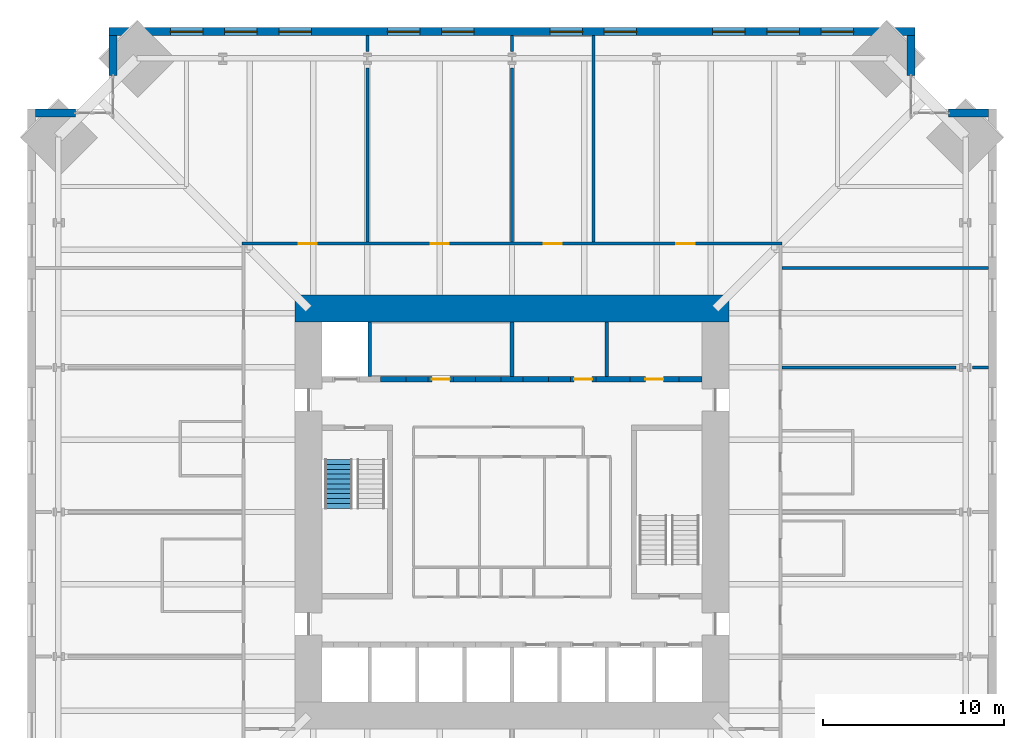
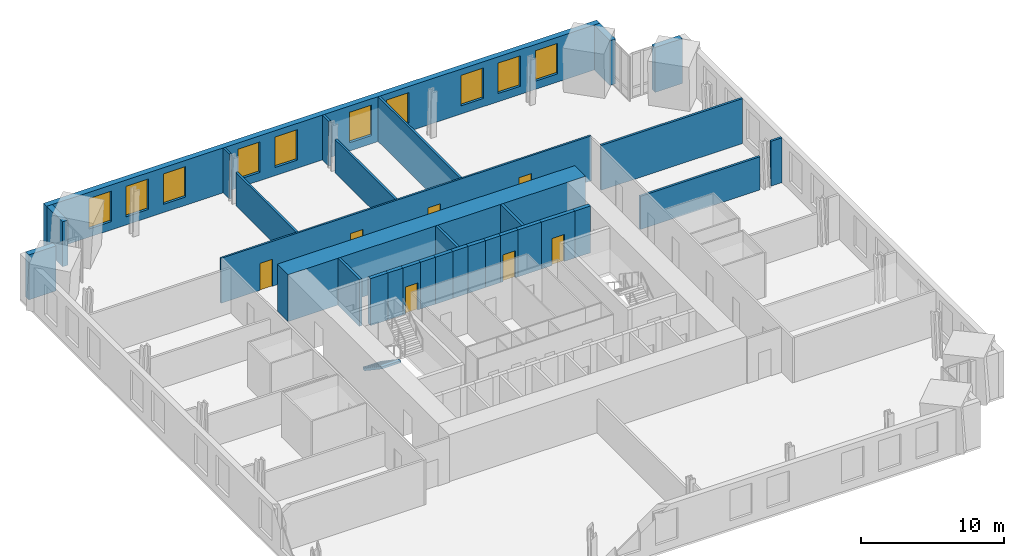
# One storey, part 15 of 17: 30 walls, 10 windows, 7 doors, 1 stair flight, 17 openings, 1 element without a shape of its own.
"""IFC4 building model written with IfcOpenShell, lengths in metres."""

from ifc_helpers import new_model, si_unit, direction, frame, frame_2d, origin, place, context, subcontext, project, spatial, polyline, rectangle, outline, extrude, material, layer, layer_set, type_object, element, fill, aggregate, save


model = new_model("IFC4")

# Units and contexts
model_context = context("Model", 3, precision=1e-05, world=origin(), true_north=direction((0.0, 1.0)))
body_context = subcontext(model_context, "Body", "Model", "MODEL_VIEW")
ifc_project = project(units=[si_unit("LENGTHUNIT", "METRE"), si_unit("AREAUNIT", "SQUARE_METRE"), si_unit("VOLUMEUNIT", "CUBIC_METRE"), si_unit("PLANEANGLEUNIT", "RADIAN"), si_unit("MASSUNIT", "GRAM", prefix="KILO")], contexts=[model_context])

# Site, building, storey
site_placement = place(None, origin())
site = spatial("IfcSite", under=ifc_project, at=site_placement, CompositionType="ELEMENT")
building_placement = place(site_placement, origin())
building = spatial("IfcBuilding", under=site, at=building_placement, Name="Peilmerk Tower", CompositionType="ELEMENT")
storey_placement = place(building_placement, frame((0.0, 0.0, 143.800048828125)))
storey = spatial("IfcBuildingStorey", under=building, at=storey_placement, Name="L29", CompositionType="ELEMENT", Elevation=143.800048828125)

# Wall, openings, windows
ifc_material_1 = material(Name="Precast concrete C45/55, board-marked finish", Category="concrete")
ifc_layer_1 = layer(ifc_material_1, 0.449951171875)
ifc_layer_set_1 = layer_set([ifc_layer_1], Name="Precast concrete C45/55, board-marked finish")
wall_type_1 = type_object("IfcWallType", Name="EW1 450 precast concrete facade wall, board-marked", PredefinedType="SOLIDWALL", material=ifc_layer_set_1)
wall_1_placement = place(storey_placement, frame((22.300048828125, 26.574951171875, 0.0), z_axis=(0.0, 0.0, 1.0), x_axis=(-1.0, 0.0, 0.0)))
wall_1 = element("IfcWall", 1, at=wall_1_placement, inside=storey, type_object=wall_type_1, Name="Facade wall N L29", PredefinedType="SOLIDWALL", context=body_context, shape_type="SweptSolid", body=[
    extrude(rectangle(XDim=44.60009765625, YDim=0.449951171875, at=frame_2d((22.300048828125, 0.0))), origin(), (0.0, 0.0, 1.0), 3.829833984375),
])
opening_1_placement = place(wall_1_placement, frame((3.39990234375, 0.0, 0.699951171875)))
opening_1 = element("IfcOpeningElement", 2, at=opening_1_placement, cuts=wall_1, Name="Opening W1", PredefinedType="OPENING", context=body_context, shape_type="SweptSolid", body=[
    extrude(rectangle(XDim=1.800048828125, YDim=2.60009765625, at=frame_2d((0.89990234375, 1.300048828125))), frame((0.0, 0.23486328125, 0.0), z_axis=(0.0, -1.0, 0.0), x_axis=(1.0, 0.0, 0.0)), (0.0, 0.0, 1.0), 0.469970703125),
])
opening_2_placement = place(wall_1_placement, frame((6.39990234375, 0.0, 0.699951171875)))
opening_2 = element("IfcOpeningElement", 3, at=opening_2_placement, cuts=wall_1, Name="Opening W1", PredefinedType="OPENING", context=body_context, shape_type="SweptSolid", body=[
    extrude(rectangle(XDim=1.800048828125, YDim=2.60009765625, at=frame_2d((0.89990234375, 1.300048828125))), frame((0.0, 0.23486328125, 0.0), z_axis=(0.0, -1.0, 0.0), x_axis=(1.0, 0.0, 0.0)), (0.0, 0.0, 1.0), 0.469970703125),
])
opening_3_placement = place(wall_1_placement, frame((9.39990234375, 0.0, 0.699951171875)))
opening_3 = element("IfcOpeningElement", 4, at=opening_3_placement, cuts=wall_1, Name="Opening W1", PredefinedType="OPENING", context=body_context, shape_type="SweptSolid", body=[
    extrude(rectangle(XDim=1.800048828125, YDim=2.60009765625, at=frame_2d((0.89990234375, 1.300048828125))), frame((0.0, 0.23486328125, 0.0), z_axis=(0.0, -1.0, 0.0), x_axis=(1.0, 0.0, 0.0)), (0.0, 0.0, 1.0), 0.469970703125),
])
opening_4_placement = place(wall_1_placement, frame((15.39990234375, 0.0, 0.699951171875)))
opening_4 = element("IfcOpeningElement", 5, at=opening_4_placement, cuts=wall_1, Name="Opening W1", PredefinedType="OPENING", context=body_context, shape_type="SweptSolid", body=[
    extrude(rectangle(XDim=1.800048828125, YDim=2.60009765625, at=frame_2d((0.89990234375, 1.300048828125))), frame((0.0, 0.23486328125, 0.0), z_axis=(0.0, -1.0, 0.0), x_axis=(1.0, 0.0, 0.0)), (0.0, 0.0, 1.0), 0.469970703125),
])
opening_5_placement = place(wall_1_placement, frame((18.39990234375, 0.0, 0.699951171875)))
opening_5 = element("IfcOpeningElement", 6, at=opening_5_placement, cuts=wall_1, Name="Opening W1", PredefinedType="OPENING", context=body_context, shape_type="SweptSolid", body=[
    extrude(rectangle(XDim=1.800048828125, YDim=2.60009765625, at=frame_2d((0.89990234375, 1.300048828125))), frame((0.0, 0.23486328125, 0.0), z_axis=(0.0, -1.0, 0.0), x_axis=(1.0, 0.0, 0.0)), (0.0, 0.0, 1.0), 0.469970703125),
])
opening_6_placement = place(wall_1_placement, frame((24.39990234375, 0.0, 0.699951171875)))
opening_6 = element("IfcOpeningElement", 7, at=opening_6_placement, cuts=wall_1, Name="Opening W1", PredefinedType="OPENING", context=body_context, shape_type="SweptSolid", body=[
    extrude(rectangle(XDim=1.800048828125, YDim=2.60009765625, at=frame_2d((0.89990234375, 1.300048828125))), frame((0.0, 0.23486328125, 0.0), z_axis=(0.0, -1.0, 0.0), x_axis=(1.0, 0.0, 0.0)), (0.0, 0.0, 1.0), 0.469970703125),
])
opening_7_placement = place(wall_1_placement, frame((27.39990234375, 0.0, 0.699951171875)))
opening_7 = element("IfcOpeningElement", 8, at=opening_7_placement, cuts=wall_1, Name="Opening W1", PredefinedType="OPENING", context=body_context, shape_type="SweptSolid", body=[
    extrude(rectangle(XDim=1.800048828125, YDim=2.60009765625, at=frame_2d((0.89990234375, 1.300048828125))), frame((0.0, 0.23486328125, 0.0), z_axis=(0.0, -1.0, 0.0), x_axis=(1.0, 0.0, 0.0)), (0.0, 0.0, 1.0), 0.469970703125),
])
opening_8_placement = place(wall_1_placement, frame((33.39990234375, 0.0, 0.699951171875)))
opening_8 = element("IfcOpeningElement", 9, at=opening_8_placement, cuts=wall_1, Name="Opening W1", PredefinedType="OPENING", context=body_context, shape_type="SweptSolid", body=[
    extrude(rectangle(XDim=1.800048828125, YDim=2.60009765625, at=frame_2d((0.89990234375, 1.300048828125))), frame((0.0, 0.23486328125, 0.0), z_axis=(0.0, -1.0, 0.0), x_axis=(1.0, 0.0, 0.0)), (0.0, 0.0, 1.0), 0.469970703125),
])
opening_9_placement = place(wall_1_placement, frame((36.39990234375, 0.0, 0.699951171875)))
opening_9 = element("IfcOpeningElement", 10, at=opening_9_placement, cuts=wall_1, Name="Opening W1", PredefinedType="OPENING", context=body_context, shape_type="SweptSolid", body=[
    extrude(rectangle(XDim=1.800048828125, YDim=2.60009765625, at=frame_2d((0.89990234375, 1.300048828125))), frame((0.0, 0.23486328125, 0.0), z_axis=(0.0, -1.0, 0.0), x_axis=(1.0, 0.0, 0.0)), (0.0, 0.0, 1.0), 0.469970703125),
])
opening_10_placement = place(wall_1_placement, frame((39.39990234375, 0.0, 0.699951171875)))
opening_10 = element("IfcOpeningElement", 11, at=opening_10_placement, cuts=wall_1, Name="Opening W1", PredefinedType="OPENING", context=body_context, shape_type="SweptSolid", body=[
    extrude(rectangle(XDim=1.800048828125, YDim=2.60009765625, at=frame_2d((0.89990234375, 1.300048828125))), frame((0.0, 0.23486328125, 0.0), z_axis=(0.0, -1.0, 0.0), x_axis=(1.0, 0.0, 0.0)), (0.0, 0.0, 1.0), 0.469970703125),
])
ifc_material_2 = material(Name="Aluminium frame, clear double glazing", Category="aluminium")
window_type = type_object("IfcWindowType", Name="W1 1800x2600 office window", PartitioningType="SINGLE_PANEL", PredefinedType="WINDOW", material=ifc_material_2)
window_1_placement = place(opening_1_placement, origin())
window_1 = element("IfcWindow", 12, at=window_1_placement, inside=storey, type_object=window_type, Name="Window W1 L29", OverallHeight=2.60009765625, OverallWidth=1.800048828125, PartitioningType="SINGLE_PANEL", PredefinedType="WINDOW", context=body_context, shape_type="SweptSolid", body=[
    extrude(rectangle(XDim=1.800048828125, YDim=2.60009765625, at=frame_2d((0.89990234375, 1.300048828125))), frame((0.0, 0.030029296875, 0.0), z_axis=(0.0, -1.0, 0.0), x_axis=(1.0, 0.0, 0.0)), (0.0, 0.0, 1.0), 0.06005859375),
])
fill(opening_1, window_1)
window_2_placement = place(opening_2_placement, origin())
window_2 = element("IfcWindow", 13, at=window_2_placement, inside=storey, type_object=window_type, Name="Window W1 L29", OverallHeight=2.60009765625, OverallWidth=1.800048828125, PartitioningType="SINGLE_PANEL", PredefinedType="WINDOW", context=body_context, shape_type="SweptSolid", body=[
    extrude(rectangle(XDim=1.800048828125, YDim=2.60009765625, at=frame_2d((0.89990234375, 1.300048828125))), frame((0.0, 0.030029296875, 0.0), z_axis=(0.0, -1.0, 0.0), x_axis=(1.0, 0.0, 0.0)), (0.0, 0.0, 1.0), 0.06005859375),
])
fill(opening_2, window_2)
window_3_placement = place(opening_3_placement, origin())
window_3 = element("IfcWindow", 14, at=window_3_placement, inside=storey, type_object=window_type, Name="Window W1 L29", OverallHeight=2.60009765625, OverallWidth=1.800048828125, PartitioningType="SINGLE_PANEL", PredefinedType="WINDOW", context=body_context, shape_type="SweptSolid", body=[
    extrude(rectangle(XDim=1.800048828125, YDim=2.60009765625, at=frame_2d((0.89990234375, 1.300048828125))), frame((0.0, 0.030029296875, 0.0), z_axis=(0.0, -1.0, 0.0), x_axis=(1.0, 0.0, 0.0)), (0.0, 0.0, 1.0), 0.06005859375),
])
fill(opening_3, window_3)
window_4_placement = place(opening_4_placement, origin())
window_4 = element("IfcWindow", 15, at=window_4_placement, inside=storey, type_object=window_type, Name="Window W1 L29", OverallHeight=2.60009765625, OverallWidth=1.800048828125, PartitioningType="SINGLE_PANEL", PredefinedType="WINDOW", context=body_context, shape_type="SweptSolid", body=[
    extrude(rectangle(XDim=1.800048828125, YDim=2.60009765625, at=frame_2d((0.89990234375, 1.300048828125))), frame((0.0, 0.030029296875, 0.0), z_axis=(0.0, -1.0, 0.0), x_axis=(1.0, 0.0, 0.0)), (0.0, 0.0, 1.0), 0.06005859375),
])
fill(opening_4, window_4)
window_5_placement = place(opening_5_placement, origin())
window_5 = element("IfcWindow", 16, at=window_5_placement, inside=storey, type_object=window_type, Name="Window W1 L29", OverallHeight=2.60009765625, OverallWidth=1.800048828125, PartitioningType="SINGLE_PANEL", PredefinedType="WINDOW", context=body_context, shape_type="SweptSolid", body=[
    extrude(rectangle(XDim=1.800048828125, YDim=2.60009765625, at=frame_2d((0.89990234375, 1.300048828125))), frame((0.0, 0.030029296875, 0.0), z_axis=(0.0, -1.0, 0.0), x_axis=(1.0, 0.0, 0.0)), (0.0, 0.0, 1.0), 0.06005859375),
])
fill(opening_5, window_5)
window_6_placement = place(opening_6_placement, origin())
window_6 = element("IfcWindow", 17, at=window_6_placement, inside=storey, type_object=window_type, Name="Window W1 L29", OverallHeight=2.60009765625, OverallWidth=1.800048828125, PartitioningType="SINGLE_PANEL", PredefinedType="WINDOW", context=body_context, shape_type="SweptSolid", body=[
    extrude(rectangle(XDim=1.800048828125, YDim=2.60009765625, at=frame_2d((0.89990234375, 1.300048828125))), frame((0.0, 0.030029296875, 0.0), z_axis=(0.0, -1.0, 0.0), x_axis=(1.0, 0.0, 0.0)), (0.0, 0.0, 1.0), 0.06005859375),
])
fill(opening_6, window_6)
window_7_placement = place(opening_7_placement, origin())
window_7 = element("IfcWindow", 18, at=window_7_placement, inside=storey, type_object=window_type, Name="Window W1 L29", OverallHeight=2.60009765625, OverallWidth=1.800048828125, PartitioningType="SINGLE_PANEL", PredefinedType="WINDOW", context=body_context, shape_type="SweptSolid", body=[
    extrude(rectangle(XDim=1.800048828125, YDim=2.60009765625, at=frame_2d((0.89990234375, 1.300048828125))), frame((0.0, 0.030029296875, 0.0), z_axis=(0.0, -1.0, 0.0), x_axis=(1.0, 0.0, 0.0)), (0.0, 0.0, 1.0), 0.06005859375),
])
fill(opening_7, window_7)
window_8_placement = place(opening_8_placement, origin())
window_8 = element("IfcWindow", 19, at=window_8_placement, inside=storey, type_object=window_type, Name="Window W1 L29", OverallHeight=2.60009765625, OverallWidth=1.800048828125, PartitioningType="SINGLE_PANEL", PredefinedType="WINDOW", context=body_context, shape_type="SweptSolid", body=[
    extrude(rectangle(XDim=1.800048828125, YDim=2.60009765625, at=frame_2d((0.89990234375, 1.300048828125))), frame((0.0, 0.030029296875, 0.0), z_axis=(0.0, -1.0, 0.0), x_axis=(1.0, 0.0, 0.0)), (0.0, 0.0, 1.0), 0.06005859375),
])
fill(opening_8, window_8)
window_9_placement = place(opening_9_placement, origin())
window_9 = element("IfcWindow", 20, at=window_9_placement, inside=storey, type_object=window_type, Name="Window W1 L29", OverallHeight=2.60009765625, OverallWidth=1.800048828125, PartitioningType="SINGLE_PANEL", PredefinedType="WINDOW", context=body_context, shape_type="SweptSolid", body=[
    extrude(rectangle(XDim=1.800048828125, YDim=2.60009765625, at=frame_2d((0.89990234375, 1.300048828125))), frame((0.0, 0.030029296875, 0.0), z_axis=(0.0, -1.0, 0.0), x_axis=(1.0, 0.0, 0.0)), (0.0, 0.0, 1.0), 0.06005859375),
])
fill(opening_9, window_9)
window_10_placement = place(opening_10_placement, origin())
window_10 = element("IfcWindow", 21, at=window_10_placement, inside=storey, type_object=window_type, Name="Window W1 L29", OverallHeight=2.60009765625, OverallWidth=1.800048828125, PartitioningType="SINGLE_PANEL", PredefinedType="WINDOW", context=body_context, shape_type="SweptSolid", body=[
    extrude(rectangle(XDim=1.800048828125, YDim=2.60009765625, at=frame_2d((0.89990234375, 1.300048828125))), frame((0.0, 0.030029296875, 0.0), z_axis=(0.0, -1.0, 0.0), x_axis=(1.0, 0.0, 0.0)), (0.0, 0.0, 1.0), 0.06005859375),
])
fill(opening_10, window_10)

# Walls
for number, where, z_axis, x_axis, name in (
    (22, (22.074951171875, 24.153564453125, 0.0), (0.0, 0.0, 1.0), (0.0, 1.0, 0.0), "Facade wall NEA L29"),
    (23, (24.153564453125, 22.074951171875, 0.0), (0.0, 0.0, 1.0), (1.0, 0.0, 0.0), "Facade wall NEB L29"),
    (24, (-22.074951171875, 24.153564453125, 0.0), (0.0, 0.0, 1.0), (0.0, 1.0, 0.0), "Facade wall NWA L29"),
    (25, (-24.153564453125, 22.074951171875, 0.0), (0.0, 0.0, 1.0), (-1.0, 0.0, 0.0), "Facade wall NWB L29"),
):
    element("IfcWall", number, at=place(storey_placement, frame(where, z_axis=z_axis, x_axis=x_axis)), inside=storey, type_object=wall_type_1, Name=name, PredefinedType="SOLIDWALL", context=body_context, shape_type="SweptSolid", body=[
        extrude(rectangle(XDim=2.196533203125, YDim=0.449951171875, at=frame_2d((1.09814453125, 0.0))), origin(), (0.0, 0.0, 1.0), 3.829833984375),
    ])

# Wall, openings, doors
ifc_material_3 = material(Name="Calcium silicate block", Category="masonry")
ifc_layer_2 = layer(ifc_material_3, 0.14990234375)
ifc_layer_set_2 = layer_set([ifc_layer_2], Name="Calcium silicate block")
wall_type_2 = type_object("IfcWallType", Name="IW1 150 corridor partition, EI 60", PredefinedType="PARTITIONING", material=ifc_layer_set_2)
wall_2_placement = place(storey_placement, frame((-14.925048828125, 14.85009765625, 0.0), z_axis=(0.0, 0.0, 1.0), x_axis=(1.0, 0.0, 0.0)))
wall_2 = element("IfcWall", 26, at=wall_2_placement, inside=storey, type_object=wall_type_2, Name="Corridor wall N L29", PredefinedType="PARTITIONING", context=body_context, shape_type="SweptSolid", body=[
    extrude(rectangle(XDim=29.85009765625, YDim=0.14990234375, at=frame_2d((14.925048828125, 0.0))), origin(), (0.0, 0.0, 1.0), 3.829833984375),
])
opening_11_placement = place(wall_2_placement, frame((3.125, 0.0, 0.0)))
opening_11 = element("IfcOpeningElement", 27, at=opening_11_placement, cuts=wall_2, Name="Opening D1", PredefinedType="OPENING", context=body_context, shape_type="SweptSolid", body=[
    extrude(rectangle(XDim=1.0, YDim=2.300048828125, at=frame_2d((0.5, 1.14990234375))), frame((0.0, 0.0849609375, 0.0), z_axis=(0.0, -1.0, 0.0), x_axis=(1.0, 0.0, 0.0)), (0.0, 0.0, 1.0), 0.169921875),
])
opening_12_placement = place(wall_2_placement, frame((10.425048828125, 0.0, 0.0)))
opening_12 = element("IfcOpeningElement", 28, at=opening_12_placement, cuts=wall_2, Name="Opening D1", PredefinedType="OPENING", context=body_context, shape_type="SweptSolid", body=[
    extrude(rectangle(XDim=1.0, YDim=2.300048828125, at=frame_2d((0.5, 1.14990234375))), frame((0.0, 0.0849609375, 0.0), z_axis=(0.0, -1.0, 0.0), x_axis=(1.0, 0.0, 0.0)), (0.0, 0.0, 1.0), 0.169921875),
])
opening_13_placement = place(wall_2_placement, frame((16.675048828125, 0.0, 0.0)))
opening_13 = element("IfcOpeningElement", 29, at=opening_13_placement, cuts=wall_2, Name="Opening D1", PredefinedType="OPENING", context=body_context, shape_type="SweptSolid", body=[
    extrude(rectangle(XDim=1.0, YDim=2.300048828125, at=frame_2d((0.5, 1.14990234375))), frame((0.0, 0.0849609375, 0.0), z_axis=(0.0, -1.0, 0.0), x_axis=(1.0, 0.0, 0.0)), (0.0, 0.0, 1.0), 0.169921875),
])
opening_14_placement = place(wall_2_placement, frame((24.02490234375, 0.0, 0.0)))
opening_14 = element("IfcOpeningElement", 30, at=opening_14_placement, cuts=wall_2, Name="Opening D1", PredefinedType="OPENING", context=body_context, shape_type="SweptSolid", body=[
    extrude(rectangle(XDim=1.0, YDim=2.300048828125, at=frame_2d((0.5, 1.14990234375))), frame((0.0, 0.0849609375, 0.0), z_axis=(0.0, -1.0, 0.0), x_axis=(1.0, 0.0, 0.0)), (0.0, 0.0, 1.0), 0.169921875),
])
ifc_material_4 = material(Name="Timber door in steel frame", Category="steel")
door_type_1 = type_object("IfcDoorType", Name="D1 1000x2300 room door, EI2 30", OperationType="SINGLE_SWING_LEFT", PredefinedType="DOOR", material=ifc_material_4)
door_1_placement = place(opening_11_placement, origin())
door_1 = element("IfcDoor", 31, at=door_1_placement, inside=storey, type_object=door_type_1, Name="Door Team workspace L29", OperationType="SINGLE_SWING_LEFT", OverallHeight=2.300048828125, OverallWidth=1.0, PredefinedType="DOOR", context=body_context, shape_type="SweptSolid", body=[
    extrude(rectangle(XDim=1.0, YDim=2.300048828125, at=frame_2d((0.5, 1.14990234375))), frame((0.0, 0.02490234375, 0.0), z_axis=(0.0, -1.0, 0.0), x_axis=(1.0, 0.0, 0.0)), (0.0, 0.0, 1.0), 0.050048828125),
])
fill(opening_11, door_1)
door_2_placement = place(opening_12_placement, origin())
door_2 = element("IfcDoor", 32, at=door_2_placement, inside=storey, type_object=door_type_1, Name="Door Team workspace L29", OperationType="SINGLE_SWING_LEFT", OverallHeight=2.300048828125, OverallWidth=1.0, PredefinedType="DOOR", context=body_context, shape_type="SweptSolid", body=[
    extrude(rectangle(XDim=1.0, YDim=2.300048828125, at=frame_2d((0.5, 1.14990234375))), frame((0.0, 0.02490234375, 0.0), z_axis=(0.0, -1.0, 0.0), x_axis=(1.0, 0.0, 0.0)), (0.0, 0.0, 1.0), 0.050048828125),
])
fill(opening_12, door_2)
door_3_placement = place(opening_13_placement, origin())
door_3 = element("IfcDoor", 33, at=door_3_placement, inside=storey, type_object=door_type_1, Name="Door Project room L29", OperationType="SINGLE_SWING_LEFT", OverallHeight=2.300048828125, OverallWidth=1.0, PredefinedType="DOOR", context=body_context, shape_type="SweptSolid", body=[
    extrude(rectangle(XDim=1.0, YDim=2.300048828125, at=frame_2d((0.5, 1.14990234375))), frame((0.0, 0.02490234375, 0.0), z_axis=(0.0, -1.0, 0.0), x_axis=(1.0, 0.0, 0.0)), (0.0, 0.0, 1.0), 0.050048828125),
])
fill(opening_13, door_3)
door_4_placement = place(opening_14_placement, origin())
door_4 = element("IfcDoor", 34, at=door_4_placement, inside=storey, type_object=door_type_1, Name="Door Team workspace L29", OperationType="SINGLE_SWING_LEFT", OverallHeight=2.300048828125, OverallWidth=1.0, PredefinedType="DOOR", context=body_context, shape_type="SweptSolid", body=[
    extrude(rectangle(XDim=1.0, YDim=2.300048828125, at=frame_2d((0.5, 1.14990234375))), frame((0.0, 0.02490234375, 0.0), z_axis=(0.0, -1.0, 0.0), x_axis=(1.0, 0.0, 0.0)), (0.0, 0.0, 1.0), 0.050048828125),
])
fill(opening_14, door_4)

# Walls
ifc_layer_3 = layer(ifc_material_3, 0.175048828125)
ifc_layer_set_3 = layer_set([ifc_layer_3], Name="Calcium silicate block")
wall_type_3 = type_object("IfcWallType", Name="IW8 175 tenant separating wall, EI 60", PredefinedType="PARTITIONING", material=ifc_layer_set_3)
wall_3_placement = place(storey_placement, frame((14.925048828125, 13.5, 0.0), z_axis=(0.0, 0.0, 1.0), x_axis=(1.0, 0.0, 0.0)))
element("IfcWall", 35, at=wall_3_placement, inside=storey, type_object=wall_type_3, Name="Tenant separating wall NE L29", PredefinedType="PARTITIONING", context=body_context, shape_type="SweptSolid", body=[
    extrude(rectangle(XDim=11.425048828125, YDim=0.175048828125, at=frame_2d((5.71240234375, 0.0))), origin(), (0.0, 0.0, 1.0), 3.829833984375),
])
wall_4_placement = place(storey_placement, frame((-8.0, 14.925048828125, 0.0), z_axis=(0.0, 0.0, 1.0), x_axis=(0.0, 1.0, 0.0)))
element("IfcWall", 36, at=wall_4_placement, inside=storey, type_object=wall_type_3, Name="Tenant separating wall N1 L29", PredefinedType="PARTITIONING", context=body_context, shape_type="SweptSolid", body=[
    extrude(rectangle(XDim=9.648193359375, YDim=0.175048828125, at=frame_2d((4.82421875, 0.0))), origin(), (0.0, 0.0, 1.0), 2.829833984375),
])
wall_5_placement = place(storey_placement, frame((-8.0, 25.46240234375, 0.0), z_axis=(0.0, 0.0, 1.0), x_axis=(0.0, 1.0, 0.0)))
element("IfcWall", 37, at=wall_5_placement, inside=storey, type_object=wall_type_3, Name="Tenant separating wall N1b L29", PredefinedType="PARTITIONING", context=body_context, shape_type="SweptSolid", body=[
    extrude(rectangle(XDim=0.8876953125, YDim=0.175048828125, at=frame_2d((0.44384765625, 0.0))), origin(), (0.0, 0.0, 1.0), 3.829833984375),
])
wall_6_placement = place(storey_placement, frame((0.0, 14.925048828125, 0.0), z_axis=(0.0, 0.0, 1.0), x_axis=(0.0, 1.0, 0.0)))
element("IfcWall", 38, at=wall_6_placement, inside=storey, type_object=wall_type_3, Name="Tenant separating wall N2 L29", PredefinedType="PARTITIONING", context=body_context, shape_type="SweptSolid", body=[
    extrude(rectangle(XDim=9.648193359375, YDim=0.175048828125, at=frame_2d((4.82421875, 0.0))), origin(), (0.0, 0.0, 1.0), 2.829833984375),
])
wall_7_placement = place(storey_placement, frame((0.0, 25.46240234375, 0.0), z_axis=(0.0, 0.0, 1.0), x_axis=(0.0, 1.0, 0.0)))
element("IfcWall", 39, at=wall_7_placement, inside=storey, type_object=wall_type_3, Name="Tenant separating wall N2b L29", PredefinedType="PARTITIONING", context=body_context, shape_type="SweptSolid", body=[
    extrude(rectangle(XDim=0.8876953125, YDim=0.175048828125, at=frame_2d((0.44384765625, 0.0))), origin(), (0.0, 0.0, 1.0), 3.829833984375),
])
wall_8_placement = place(storey_placement, frame((4.5, 14.925048828125, 0.0), z_axis=(0.0, 0.0, 1.0), x_axis=(0.0, 1.0, 0.0)))
element("IfcWall", 40, at=wall_8_placement, inside=storey, type_object=wall_type_3, Name="Tenant separating wall N3 L29", PredefinedType="PARTITIONING", context=body_context, shape_type="SweptSolid", body=[
    extrude(rectangle(XDim=11.425048828125, YDim=0.175048828125, at=frame_2d((5.71240234375, 0.0))), origin(), (0.0, 0.0, 1.0), 3.829833984375),
])
wall_9_placement = place(storey_placement, frame((14.925048828125, 8.0, 0.0), z_axis=(0.0, 0.0, 1.0), x_axis=(1.0, 0.0, 0.0)))
element("IfcWall", 41, at=wall_9_placement, inside=storey, type_object=wall_type_3, Name="Tenant separating wall E3 L29", PredefinedType="PARTITIONING", context=body_context, shape_type="SweptSolid", body=[
    extrude(rectangle(XDim=9.648193359375, YDim=0.175048828125, at=frame_2d((4.82421875, 0.0))), origin(), (0.0, 0.0, 1.0), 2.829833984375),
])
wall_10_placement = place(storey_placement, frame((25.46240234375, 8.0, 0.0), z_axis=(0.0, 0.0, 1.0), x_axis=(1.0, 0.0, 0.0)))
element("IfcWall", 42, at=wall_10_placement, inside=storey, type_object=wall_type_3, Name="Tenant separating wall E3b L29", PredefinedType="PARTITIONING", context=body_context, shape_type="SweptSolid", body=[
    extrude(rectangle(XDim=0.8876953125, YDim=0.175048828125, at=frame_2d((0.44384765625, 0.0))), origin(), (0.0, 0.0, 1.0), 3.829833984375),
])
ifc_layer_4 = layer(ifc_material_3, 0.199951171875)
ifc_layer_set_4 = layer_set([ifc_layer_4], Name="Calcium silicate block")
wall_type_4 = type_object("IfcWallType", Name="SH1 200 shaft dividing wall, EI 120", PredefinedType="PARTITIONING", material=ifc_layer_set_4)
for number, where, z_axis, x_axis, name in (
    (43, (-7.875, 7.5, 0.0), (0.0, 0.0, 1.0), (0.0, 1.0, 0.0), "Shaft wall N FL1 L29"),
    (44, (0.0, 7.5, 0.0), (0.0, 0.0, 1.0), (0.0, 1.0, 0.0), "Shaft wall N A3 L29"),
    (45, (5.25, 7.5, 0.0), (0.0, 0.0, 1.0), (0.0, 1.0, 0.0), "Shaft wall N S2 L29"),
):
    element("IfcWall", number, at=place(storey_placement, frame(where, z_axis=z_axis, x_axis=x_axis)), inside=storey, type_object=wall_type_4, Name=name, PredefinedType="PARTITIONING", context=body_context, shape_type="SweptSolid", body=[
        extrude(rectangle(XDim=3.0, YDim=0.199951171875, at=frame_2d((1.5, 0.0))), origin(), (0.0, 0.0, 1.0), 4.0),
    ])
ifc_layer_5 = layer(ifc_material_3, 0.300048828125)
ifc_layer_set_5 = layer_set([ifc_layer_5], Name="Calcium silicate block")
wall_type_5 = type_object("IfcWallType", Name="SH2 300 lift landing door panel, EI 120", PredefinedType="PARTITIONING", material=ifc_layer_set_5)
wall_11_placement = place(storey_placement, frame((-7.262451171875, 7.35009765625, 0.0), z_axis=(0.0, 0.0, 1.0), x_axis=(1.0, 0.0, 0.0)))
element("IfcWall", 46, at=wall_11_placement, inside=storey, type_object=wall_type_5, Name="Lift door panel N A1 L29", PredefinedType="PARTITIONING", context=body_context, shape_type="SweptSolid", body=[
    extrude(rectangle(XDim=1.39990234375, YDim=0.300048828125, at=frame_2d((0.699951171875, 0.0))), origin(), (0.0, 0.0, 1.0), 4.0),
])

# Wall, opening, door
wall_12_placement = place(storey_placement, frame((-4.637451171875, 7.35009765625, 0.0), z_axis=(0.0, 0.0, 1.0), x_axis=(1.0, 0.0, 0.0)))
wall_12 = element("IfcWall", 47, at=wall_12_placement, inside=storey, type_object=wall_type_5, Name="Lift door panel N A2 L29", PredefinedType="PARTITIONING", context=body_context, shape_type="SweptSolid", body=[
    extrude(rectangle(XDim=1.39990234375, YDim=0.300048828125, at=frame_2d((0.699951171875, 0.0))), origin(), (0.0, 0.0, 1.0), 4.0),
])
opening_15_placement = place(wall_12_placement, frame((0.199951171875, 0.0, 0.0)))
opening_15 = element("IfcOpeningElement", 48, at=opening_15_placement, cuts=wall_12, Name="Opening D10", PredefinedType="OPENING", context=body_context, shape_type="SweptSolid", body=[
    extrude(rectangle(XDim=1.0, YDim=2.300048828125, at=frame_2d((0.5, 1.14990234375))), frame((0.0, 0.159912109375, 0.0), z_axis=(0.0, -1.0, 0.0), x_axis=(1.0, 0.0, 0.0)), (0.0, 0.0, 1.0), 0.320068359375),
])
ifc_material_5 = material(Name="Steel door in steel frame", Category="steel")
door_type_2 = type_object("IfcDoorType", Name="D10 1000x2300 core room door, EI2 60", OperationType="SINGLE_SWING_RIGHT", PredefinedType="DOOR", material=ifc_material_5)
door_5_placement = place(opening_15_placement, origin())
door_5 = element("IfcDoor", 49, at=door_5_placement, inside=storey, type_object=door_type_2, Name="Door Back-of-house office L29", OperationType="SINGLE_SWING_RIGHT", OverallHeight=2.300048828125, OverallWidth=1.0, PredefinedType="DOOR", context=body_context, shape_type="SweptSolid", body=[
    extrude(rectangle(XDim=1.0, YDim=2.300048828125, at=frame_2d((0.5, 1.14990234375))), frame((0.0, 0.02490234375, 0.0), z_axis=(0.0, -1.0, 0.0), x_axis=(1.0, 0.0, 0.0)), (0.0, 0.0, 1.0), 0.050048828125),
])
fill(opening_15, door_5)

# Walls
for number, where, z_axis, x_axis, name in (
    (50, (-2.012451171875, 7.35009765625, 0.0), (0.0, 0.0, 1.0), (1.0, 0.0, 0.0), "Lift door panel N A3 L29"),
    (51, (0.612548828125, 7.35009765625, 0.0), (0.0, 0.0, 1.0), (1.0, 0.0, 0.0), "Lift door panel N S1 L29"),
):
    element("IfcWall", number, at=place(storey_placement, frame(where, z_axis=z_axis, x_axis=x_axis)), inside=storey, type_object=wall_type_5, Name=name, PredefinedType="PARTITIONING", context=body_context, shape_type="SweptSolid", body=[
        extrude(rectangle(XDim=1.39990234375, YDim=0.300048828125, at=frame_2d((0.699951171875, 0.0))), origin(), (0.0, 0.0, 1.0), 4.0),
    ])

# Wall, opening, door
wall_13_placement = place(storey_placement, frame((3.237548828125, 7.35009765625, 0.0), z_axis=(0.0, 0.0, 1.0), x_axis=(1.0, 0.0, 0.0)))
wall_13 = element("IfcWall", 52, at=wall_13_placement, inside=storey, type_object=wall_type_5, Name="Lift door panel N S2 L29", PredefinedType="PARTITIONING", context=body_context, shape_type="SweptSolid", body=[
    extrude(rectangle(XDim=1.39990234375, YDim=0.300048828125, at=frame_2d((0.699951171875, 0.0))), origin(), (0.0, 0.0, 1.0), 4.0),
])
opening_16_placement = place(wall_13_placement, frame((0.199951171875, 0.0, 0.0)))
opening_16 = element("IfcOpeningElement", 53, at=opening_16_placement, cuts=wall_13, Name="Opening D10", PredefinedType="OPENING", context=body_context, shape_type="SweptSolid", body=[
    extrude(rectangle(XDim=1.0, YDim=2.300048828125, at=frame_2d((0.5, 1.14990234375))), frame((0.0, 0.159912109375, 0.0), z_axis=(0.0, -1.0, 0.0), x_axis=(1.0, 0.0, 0.0)), (0.0, 0.0, 1.0), 0.320068359375),
])
door_6_placement = place(opening_16_placement, origin())
door_6 = element("IfcDoor", 54, at=door_6_placement, inside=storey, type_object=door_type_2, Name="Door Plant room L29", OperationType="SINGLE_SWING_RIGHT", OverallHeight=2.300048828125, OverallWidth=1.0, PredefinedType="DOOR", context=body_context, shape_type="SweptSolid", body=[
    extrude(rectangle(XDim=1.0, YDim=2.300048828125, at=frame_2d((0.5, 1.14990234375))), frame((0.0, 0.02490234375, 0.0), z_axis=(0.0, -1.0, 0.0), x_axis=(1.0, 0.0, 0.0)), (0.0, 0.0, 1.0), 0.050048828125),
])
fill(opening_16, door_6)

wall_14_placement = place(storey_placement, frame((6.52490234375, 7.35009765625, 0.0), z_axis=(0.0, 0.0, 1.0), x_axis=(1.0, 0.0, 0.0)))
wall_14 = element("IfcWall", 55, at=wall_14_placement, inside=storey, type_object=wall_type_5, Name="Lift door panel N GL1 L29", PredefinedType="PARTITIONING", context=body_context, shape_type="SweptSolid", body=[
    extrude(rectangle(XDim=2.7001953125, YDim=0.300048828125, at=frame_2d((1.35009765625, 0.0))), origin(), (0.0, 0.0, 1.0), 4.0),
])
opening_17_placement = place(wall_14_placement, frame((0.85009765625, 0.0, 0.0)))
opening_17 = element("IfcOpeningElement", 56, at=opening_17_placement, cuts=wall_14, Name="Opening D10", PredefinedType="OPENING", context=body_context, shape_type="SweptSolid", body=[
    extrude(rectangle(XDim=1.0, YDim=2.300048828125, at=frame_2d((0.5, 1.14990234375))), frame((0.0, 0.159912109375, 0.0), z_axis=(0.0, -1.0, 0.0), x_axis=(1.0, 0.0, 0.0)), (0.0, 0.0, 1.0), 0.320068359375),
])
door_7_placement = place(opening_17_placement, origin())
door_7 = element("IfcDoor", 57, at=door_7_placement, inside=storey, type_object=door_type_2, Name="Door Water meter room L29", OperationType="SINGLE_SWING_RIGHT", OverallHeight=2.300048828125, OverallWidth=1.0, PredefinedType="DOOR", context=body_context, shape_type="SweptSolid", body=[
    extrude(rectangle(XDim=1.0, YDim=2.300048828125, at=frame_2d((0.5, 1.14990234375))), frame((0.0, 0.02490234375, 0.0), z_axis=(0.0, -1.0, 0.0), x_axis=(1.0, 0.0, 0.0)), (0.0, 0.0, 1.0), 0.050048828125),
])
fill(opening_17, door_7)

# Walls
ifc_material_6 = material(Name="Concrete C55/67", Category="concrete")
ifc_layer_6 = layer(ifc_material_6, 1.5)
ifc_layer_set_6 = layer_set([ifc_layer_6], Name="Concrete C55/67")
wall_type_6 = type_object("IfcWallType", Name="SW1 1500 core wall", PredefinedType="SHEAR", material=ifc_layer_set_6)
wall_15_placement = place(storey_placement, frame((-12.0, 11.25, 0.0), z_axis=(0.0, 0.0, 1.0), x_axis=(1.0, 0.0, 0.0)))
element("IfcWall", 58, at=wall_15_placement, inside=storey, type_object=wall_type_6, Name="Core wall N L29", PredefinedType="SHEAR", context=body_context, shape_type="SweptSolid", body=[
    extrude(rectangle(XDim=24.0, YDim=1.5, at=frame_2d((12.0, 0.0))), origin(), (0.0, 0.0, 1.0), 4.0),
])
ifc_layer_7 = layer(ifc_material_6, 0.300048828125)
ifc_layer_set_7 = layer_set([ifc_layer_7], Name="Concrete C55/67")
wall_type_7 = type_object("IfcWallType", Name="SW2 300 lift bank pier", PredefinedType="SHEAR", material=ifc_layer_set_7)
for number, where, z_axis, x_axis, name in (
    (59, (-5.862548828125, 7.35009765625, 0.0), (0.0, 0.0, 1.0), (1.0, 0.0, 0.0), "Lift bank pier N L29"),
    (60, (-3.237548828125, 7.35009765625, 0.0), (0.0, 0.0, 1.0), (1.0, 0.0, 0.0), "Lift bank pier N L29"),
    (61, (-0.612548828125, 7.35009765625, 0.0), (0.0, 0.0, 1.0), (1.0, 0.0, 0.0), "Lift bank pier N L29"),
    (62, (2.012451171875, 7.35009765625, 0.0), (0.0, 0.0, 1.0), (1.0, 0.0, 0.0), "Lift bank pier N L29"),
):
    element("IfcWall", number, at=place(storey_placement, frame(where, z_axis=z_axis, x_axis=x_axis)), inside=storey, type_object=wall_type_7, Name=name, PredefinedType="SHEAR", context=body_context, shape_type="SweptSolid", body=[
        extrude(rectangle(XDim=1.22509765625, YDim=0.300048828125, at=frame_2d((0.612548828125, 0.0))), origin(), (0.0, 0.0, 1.0), 4.0),
    ])
wall_16_placement = place(storey_placement, frame((4.637451171875, 7.35009765625, 0.0), z_axis=(0.0, 0.0, 1.0), x_axis=(1.0, 0.0, 0.0)))
element("IfcWall", 63, at=wall_16_placement, inside=storey, type_object=wall_type_7, Name="Lift bank pier N L29", PredefinedType="SHEAR", context=body_context, shape_type="SweptSolid", body=[
    extrude(rectangle(XDim=1.887451171875, YDim=0.300048828125, at=frame_2d((0.94384765625, 0.0))), origin(), (0.0, 0.0, 1.0), 4.0),
])
wall_17_placement = place(storey_placement, frame((9.22509765625, 7.35009765625, 0.0), z_axis=(0.0, 0.0, 1.0), x_axis=(1.0, 0.0, 0.0)))
element("IfcWall", 64, at=wall_17_placement, inside=storey, type_object=wall_type_7, Name="Lift bank pier N L29", PredefinedType="SHEAR", context=body_context, shape_type="SweptSolid", body=[
    extrude(rectangle(XDim=1.27490234375, YDim=0.300048828125, at=frame_2d((0.637451171875, 0.0))), origin(), (0.0, 0.0, 1.0), 4.0),
])

# Stair, stair flight
ifc_material_7 = material(Name="Precast concrete C45/55", Category="concrete")
stair_type = type_object("IfcStairType", Name="ST1 22 risers of 181.8", PredefinedType="HALF_TURN_STAIR", material=ifc_material_7)
stair_placement = place(storey_placement, origin())
stair = element("IfcStair", 65, at=stair_placement, inside=storey, type_object=stair_type, Name="Stair 1 L29 to L30", PredefinedType="HALF_TURN_STAIR")
stair_flight_type = type_object("IfcStairFlightType", Name="SF11 flight, 11 risers of 181.8", PredefinedType="STRAIGHT", material=ifc_material_7)
stair_flight_placement = place(storey_placement, frame((-9.60009765625, 2.89990234375, 0.0), z_axis=(0.0, 0.0, 1.0), x_axis=(0.0, -1.0, 0.0)))
stair_flight = element("IfcStairFlight", 66, at=stair_flight_placement, type_object=stair_flight_type, Name="ST1 flight 1", NumberOfRisers=11, NumberOfTreads=10, PredefinedType="STRAIGHT", RiserHeight=0.181818182, TreadLength=0.27, context=body_context, shape_type="SweptSolid", body=[
    extrude(outline(polyline([(0.0, 0.0), (0.0, 0.181884765625), (0.27001953125, 0.181884765625), (0.27001953125, 0.363525390625), (0.5400390625, 0.363525390625), (0.5400390625, 0.54541015625), (0.81005859375, 0.54541015625), (0.81005859375, 0.727294921875), (1.080078125, 0.727294921875), (1.080078125, 0.9091796875), (1.35009765625, 0.9091796875), (1.35009765625, 1.0908203125), (1.6201171875, 1.0908203125), (1.6201171875, 1.272705078125), (1.889892578125, 1.272705078125), (1.889892578125, 1.45458984375), (2.159912109375, 1.45458984375), (2.159912109375, 1.636474609375), (2.429931640625, 1.636474609375), (2.429931640625, 1.818115234375), (2.699951171875, 1.818115234375), (2.699951171875, 2.0), (2.699951171875, 1.637451171875), (0.268310546875, 0.0), (0.0, 0.0)])), frame((0.0, 0.75, 0.0), z_axis=(0.0, -1.0, 0.0), x_axis=(1.0, 0.0, 0.0)), (0.0, 0.0, 1.0), 1.5),
])
aggregate(stair, [stair_flight])

save(model, "model.ifc")
